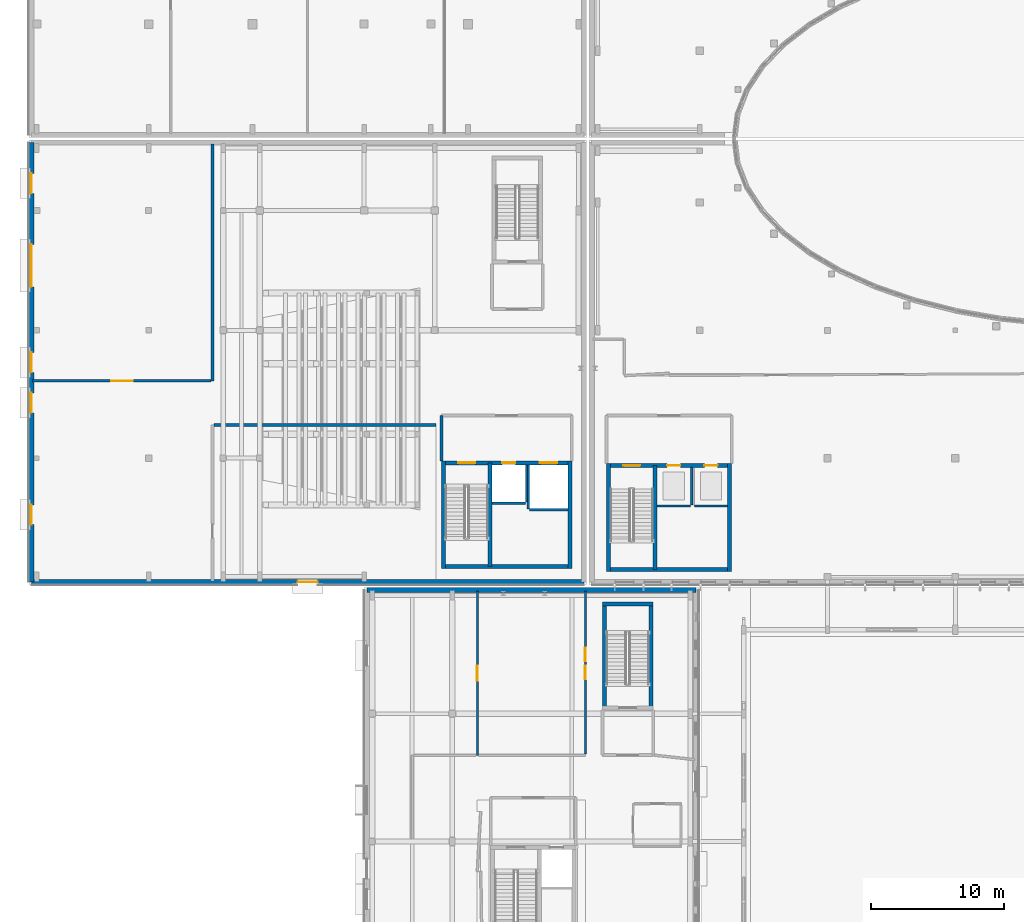
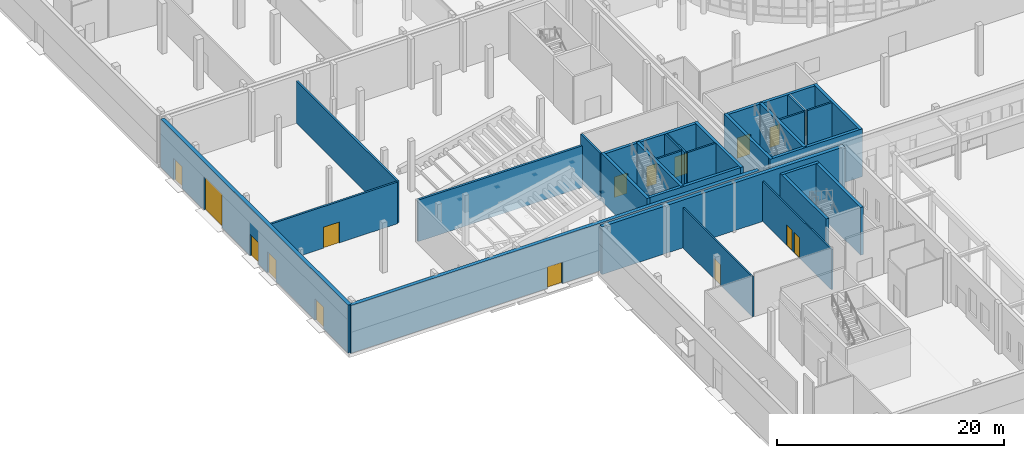
# One storey, part 40 of 84: 29 walls, 16 doors, 16 openings.
"""IFC4 building model written with IfcOpenShell, lengths in metres."""

from ifc_helpers import new_model, si_unit, direction, frame, frame_2d, origin, place, context, subcontext, project, spatial, rectangle, extrude, material, layer, layer_set, type_object, element, fill, save


model = new_model("IFC4")

# Units and contexts
model_context = context("Model", 3, precision=1e-05, world=origin(), true_north=direction((0.0, 1.0)))
body_context = subcontext(model_context, "Body", "Model", "MODEL_VIEW")
ifc_project = project(units=[si_unit("LENGTHUNIT", "METRE"), si_unit("AREAUNIT", "SQUARE_METRE"), si_unit("VOLUMEUNIT", "CUBIC_METRE"), si_unit("PLANEANGLEUNIT", "RADIAN"), si_unit("MASSUNIT", "GRAM", prefix="KILO")], contexts=[model_context])

# Site, building, storey
site_placement = place(None, origin())
site = spatial("IfcSite", under=ifc_project, at=site_placement, CompositionType="ELEMENT")
building_placement = place(site_placement, origin())
building = spatial("IfcBuilding", under=site, at=building_placement, Name="Mzevani Central Library", CompositionType="ELEMENT")
storey_placement = place(building_placement, origin())
storey = spatial("IfcBuildingStorey", under=building, at=storey_placement, Name="L00", CompositionType="ELEMENT", Elevation=0.0)

# Walls
ifc_material_1 = material(Name="Concrete blockwork masonry", Category="masonry")
ifc_layer_1 = layer(ifc_material_1, 0.219970703125, Name="Acoustic Auditorium Wall 220")
ifc_layer_set_1 = layer_set([ifc_layer_1], Name="Concrete blockwork masonry")
wall_type_1 = type_object("IfcWallType", Name="Acoustic Auditorium Wall 220", PredefinedType="STANDARD", material=ifc_layer_set_1)
wall_1_placement = place(storey_placement, frame((17.89990234375, 54.507080078125, 0.0), z_axis=(0.0, 0.0, 1.0), x_axis=(1.0, 0.0, 0.0)))
element("IfcWall", 1, at=wall_1_placement, inside=storey, type_object=wall_type_1, Name="L00 V5 Partition IW-05 (168)", PredefinedType="STANDARD", context=body_context, shape_type="SweptSolid", body=[
    extrude(rectangle(XDim=16.7001953125, YDim=0.219970703125, at=frame_2d((8.35009765625, 0.0))), origin(), (0.0, 0.0, 1.0), 4.469970703125),
])
ifc_material_2 = material(Name="Concrete C35/45", Category="concrete")
ifc_layer_2 = layer(ifc_material_2, 0.199951171875, Name="Compartment Wall 200")
ifc_layer_set_2 = layer_set([ifc_layer_2], Name="Concrete C35/45")
wall_type_2 = type_object("IfcWallType", Name="Compartment Wall 200", PredefinedType="STANDARD", material=ifc_layer_set_2)
wall_2_placement = place(storey_placement, frame((35.0, 51.800048828125, 0.0), z_axis=(0.0, 0.0, 1.0), x_axis=(0.0, 1.0, 0.0)))
element("IfcWall", 2, at=wall_2_placement, inside=storey, type_object=wall_type_2, Name="L00 Protected Stair Lobby C5A Enclosure Wall 1", PredefinedType="STANDARD", context=body_context, shape_type="SweptSolid", body=[
    extrude(rectangle(XDim=3.39990234375, YDim=0.199951171875, at=frame_2d((1.699951171875, 0.0))), origin(), (0.0, 0.0, 1.0), 5.139892578125),
])
wall_3_placement = place(storey_placement, frame((17.800048828125, 75.610107421875, 0.0), z_axis=(0.0, 0.0, 1.0), x_axis=(0.0, -1.0, 0.0)))
element("IfcWall", 3, at=wall_3_placement, inside=storey, type_object=wall_type_2, Name="L00 V5 Partition IW-COMP (165)", PredefinedType="STANDARD", context=body_context, shape_type="SweptSolid", body=[
    extrude(rectangle(XDim=17.802978515625, YDim=0.199951171875, at=frame_2d((8.9013671875, 0.0))), origin(), (0.0, 0.0, 1.0), 4.52001953125),
])

# Wall, opening, door
wall_4_placement = place(storey_placement, frame((17.699951171875, 57.80712890625, 0.0), z_axis=(0.0, 0.0, 1.0), x_axis=(-1.0, 0.0, 0.0)))
wall_4 = element("IfcWall", 4, at=wall_4_placement, inside=storey, type_object=wall_type_2, Name="L00 V5 Partition IW-COMP (166)", PredefinedType="STANDARD", context=body_context, shape_type="SweptSolid", body=[
    extrude(rectangle(XDim=13.409912109375, YDim=0.199951171875, at=frame_2d((6.705078125, 0.0))), origin(), (0.0, 0.0, 1.0), 4.469970703125),
])
opening_1_placement = place(wall_4_placement, frame((5.905029296875, 0.0, 0.0)))
opening_1 = element("IfcOpeningElement", 5, at=opening_1_placement, cuts=wall_4, Name="Opening ID-11", PredefinedType="OPENING", context=body_context, shape_type="SweptSolid", body=[
    extrude(rectangle(XDim=1.60009765625, YDim=2.25, at=frame_2d((0.800048828125, 1.125))), frame((0.0, 0.10986328125, 0.0), z_axis=(0.0, -1.0, 0.0), x_axis=(1.0, 0.0, 0.0)), (0.0, 0.0, 1.0), 0.219970703125),
])
ifc_material_3 = material(Name="Fire-rated steel door assembly", Category="steel")
door_type_1 = type_object("IfcDoorType", Name="Sorting Hall Double Door 1600x2250", OperationType="NOTDEFINED", PredefinedType="DOOR", material=ifc_material_3)
door_1_placement = place(opening_1_placement, origin())
door_1 = element("IfcDoor", 6, at=door_1_placement, inside=storey, type_object=door_type_1, Name="L00 Book Delivery Loading Bay and Sorting Hall Door", OperationType="DOUBLE_DOOR_SINGLE_SWING", OverallHeight=2.25, OverallWidth=1.60009765625, PredefinedType="DOOR", context=body_context, shape_type="SweptSolid", body=[
    extrude(rectangle(XDim=1.60009765625, YDim=2.25, at=frame_2d((0.800048828125, 1.125))), frame((0.0, 0.02490234375, 0.0), z_axis=(0.0, -1.0, 0.0), x_axis=(1.0, 0.0, 0.0)), (0.0, 0.0, 1.0), 0.050048828125),
])
fill(opening_1, door_1)

# Walls
ifc_material_4 = material(Name="Concrete C40/50", Category="concrete")
ifc_layer_3 = layer(ifc_material_4, 0.300048828125, Name="Core Shear Wall 300")
ifc_layer_set_3 = layer_set([ifc_layer_3], Name="Concrete C40/50")
wall_type_3 = type_object("IfcWallType", Name="Core Shear Wall 300", PredefinedType="SHEAR", material=ifc_layer_set_3)
wall_5_placement = place(storey_placement, frame((56.800048828125, 43.64990234375, 0.0), z_axis=(0.0, 0.0, 1.0), x_axis=(-1.0, 0.0, 0.0)))
element("IfcWall", 7, at=wall_5_placement, inside=storey, type_object=wall_type_3, Name="L00 Core C1A Reading Hall West Shear Wall (-y)", PredefinedType="SHEAR", context=body_context, shape_type="SweptSolid", body=[
    extrude(rectangle(XDim=9.400146484375, YDim=0.300048828125, at=frame_2d((4.7001953125, 0.0))), origin(), (0.0, 0.0, 1.0), 5.139892578125),
])
wall_6_placement = place(storey_placement, frame((47.550048828125, 43.5, 0.0), z_axis=(0.0, 0.0, 1.0), x_axis=(0.0, 1.0, 0.0)))
element("IfcWall", 8, at=wall_6_placement, inside=storey, type_object=wall_type_3, Name="L00 Core C1A Reading Hall West Shear Wall (-x)", PredefinedType="SHEAR", context=body_context, shape_type="SweptSolid", body=[
    extrude(rectangle(XDim=8.10009765625, YDim=0.300048828125, at=frame_2d((4.050048828125, 0.0))), origin(), (0.0, 0.0, 1.0), 5.139892578125),
])

# Wall, openings, doors
wall_7_placement = place(storey_placement, frame((47.39990234375, 51.449951171875, 0.0), z_axis=(0.0, 0.0, 1.0), x_axis=(1.0, 0.0, 0.0)))
wall_7 = element("IfcWall", 9, at=wall_7_placement, inside=storey, type_object=wall_type_3, Name="L00 Core C1A Reading Hall West Shear Wall (+y)", PredefinedType="SHEAR", context=body_context, shape_type="SweptSolid", body=[
    extrude(rectangle(XDim=9.400146484375, YDim=0.300048828125, at=frame_2d((4.7001953125, 0.0))), origin(), (0.0, 0.0, 1.0), 5.139892578125),
])
opening_2_placement = place(wall_7_placement, frame((1.25, 0.0, 0.0)))
opening_2 = element("IfcOpeningElement", 10, at=opening_2_placement, cuts=wall_7, Name="Opening FD-01", PredefinedType="OPENING", context=body_context, shape_type="SweptSolid", body=[
    extrude(rectangle(XDim=1.300048828125, YDim=2.199951171875, at=frame_2d((0.64990234375, 1.10009765625))), frame((0.0, 0.16015625, 0.0), z_axis=(0.0, -1.0, 0.0), x_axis=(1.0, 0.0, 0.0)), (0.0, 0.0, 1.0), 0.320068359375),
])
opening_3_placement = place(wall_7_placement, frame((4.550048828125, 0.0, 0.0)))
opening_3 = element("IfcOpeningElement", 11, at=opening_3_placement, cuts=wall_7, Name="Opening LD-01", PredefinedType="OPENING", context=body_context, shape_type="SweptSolid", body=[
    extrude(rectangle(XDim=1.0, YDim=2.14990234375, at=frame_2d((0.5, 1.074951171875))), frame((0.0, 0.16015625, 0.0), z_axis=(0.0, -1.0, 0.0), x_axis=(1.0, 0.0, 0.0)), (0.0, 0.0, 1.0), 0.320068359375),
])
opening_4_placement = place(wall_7_placement, frame((7.35009765625, 0.0, 0.0)))
opening_4 = element("IfcOpeningElement", 12, at=opening_4_placement, cuts=wall_7, Name="Opening LD-01", PredefinedType="OPENING", context=body_context, shape_type="SweptSolid", body=[
    extrude(rectangle(XDim=1.0, YDim=2.14990234375, at=frame_2d((0.5, 1.074951171875))), frame((0.0, 0.16015625, 0.0), z_axis=(0.0, -1.0, 0.0), x_axis=(1.0, 0.0, 0.0)), (0.0, 0.0, 1.0), 0.320068359375),
])
door_type_2 = type_object("IfcDoorType", Name="Fire Stair Door 1300x2200", OperationType="NOTDEFINED", PredefinedType="DOOR", material=ifc_material_3)
door_2_placement = place(opening_2_placement, origin())
door_2 = element("IfcDoor", 13, at=door_2_placement, inside=storey, type_object=door_type_2, Name="L00 ST-01 Protected Exit Stair Door", OperationType="SINGLE_SWING_RIGHT", OverallHeight=2.199951171875, OverallWidth=1.300048828125, PredefinedType="DOOR", context=body_context, shape_type="SweptSolid", body=[
    extrude(rectangle(XDim=1.300048828125, YDim=2.199951171875, at=frame_2d((0.64990234375, 1.10009765625))), frame((0.0, 0.02490234375, 0.0), z_axis=(0.0, -1.0, 0.0), x_axis=(1.0, 0.0, 0.0)), (0.0, 0.0, 1.0), 0.050048828125),
])
fill(opening_2, door_2)
ifc_material_5 = material(Name="Brushed stainless steel door", Category="steel")
door_type_3 = type_object("IfcDoorType", Name="Passenger Lift Landing Door 1000x2150", OperationType="NOTDEFINED", PredefinedType="DOOR", material=ifc_material_5)
door_3_placement = place(opening_3_placement, origin())
door_3 = element("IfcDoor", 14, at=door_3_placement, inside=storey, type_object=door_type_3, Name="L00 Lift LF-P1 Sliding Landing Door", OperationType="SLIDING_TO_LEFT", OverallHeight=2.14990234375, OverallWidth=1.0, PredefinedType="DOOR", context=body_context, shape_type="SweptSolid", body=[
    extrude(rectangle(XDim=1.0, YDim=2.14990234375, at=frame_2d((0.5, 1.074951171875))), frame((0.0, 0.02490234375, 0.0), z_axis=(0.0, -1.0, 0.0), x_axis=(1.0, 0.0, 0.0)), (0.0, 0.0, 1.0), 0.050048828125),
])
fill(opening_3, door_3)
door_4_placement = place(opening_4_placement, origin())
door_4 = element("IfcDoor", 15, at=door_4_placement, inside=storey, type_object=door_type_3, Name="L00 Lift LF-P2 Sliding Landing Door", OperationType="SLIDING_TO_LEFT", OverallHeight=2.14990234375, OverallWidth=1.0, PredefinedType="DOOR", context=body_context, shape_type="SweptSolid", body=[
    extrude(rectangle(XDim=1.0, YDim=2.14990234375, at=frame_2d((0.5, 1.074951171875))), frame((0.0, 0.02490234375, 0.0), z_axis=(0.0, -1.0, 0.0), x_axis=(1.0, 0.0, 0.0)), (0.0, 0.0, 1.0), 0.050048828125),
])
fill(opening_4, door_4)

# Walls
wall_8_placement = place(storey_placement, frame((56.64990234375, 51.60009765625, 0.0), z_axis=(0.0, 0.0, 1.0), x_axis=(0.0, -1.0, 0.0)))
element("IfcWall", 16, at=wall_8_placement, inside=storey, type_object=wall_type_3, Name="L00 Core C1A Reading Hall West Shear Wall (+x)", PredefinedType="SHEAR", context=body_context, shape_type="SweptSolid", body=[
    extrude(rectangle(XDim=8.10009765625, YDim=0.300048828125, at=frame_2d((4.050048828125, 0.0))), origin(), (0.0, 0.0, 1.0), 5.139892578125),
])
wall_9_placement = place(storey_placement, frame((51.050048828125, 43.64990234375, 0.0), z_axis=(0.0, 0.0, 1.0), x_axis=(0.0, 1.0, 0.0)))
element("IfcWall", 17, at=wall_9_placement, inside=storey, type_object=wall_type_3, Name="L00 Core C1A Reading Hall West Hoistway Shear Wall", PredefinedType="SHEAR", context=body_context, shape_type="SweptSolid", body=[
    extrude(rectangle(XDim=7.800048828125, YDim=0.300048828125, at=frame_2d((3.89990234375, 0.0))), origin(), (0.0, 0.0, 1.0), 5.139892578125),
])
wall_10_placement = place(storey_placement, frame((47.25, 33.10009765625, 0.0), z_axis=(0.0, 0.0, 1.0), x_axis=(0.0, 1.0, 0.0)))
element("IfcWall", 18, at=wall_10_placement, inside=storey, type_object=wall_type_3, Name="L00 Core C4B Square South Escape Stair Shear Wall (-x)", PredefinedType="SHEAR", context=body_context, shape_type="SweptSolid", body=[
    extrude(rectangle(XDim=8.099853515625, YDim=0.300048828125, at=frame_2d((4.0498046875, 0.0))), origin(), (0.0, 0.0, 1.0), 5.139892578125),
])
wall_11_placement = place(storey_placement, frame((47.10009765625, 41.050048828125, 0.0), z_axis=(0.0, 0.0, 1.0), x_axis=(1.0, 0.0, 0.0)))
element("IfcWall", 19, at=wall_11_placement, inside=storey, type_object=wall_type_3, Name="L00 Core C4B Square South Escape Stair Shear Wall (+y)", PredefinedType="SHEAR", context=body_context, shape_type="SweptSolid", body=[
    extrude(rectangle(XDim=3.7998046875, YDim=0.300048828125, at=frame_2d((1.89990234375, 0.0))), origin(), (0.0, 0.0, 1.0), 5.139892578125),
])
wall_12_placement = place(storey_placement, frame((50.75, 41.199951171875, 0.0), z_axis=(0.0, 0.0, 1.0), x_axis=(0.0, -1.0, 0.0)))
element("IfcWall", 20, at=wall_12_placement, inside=storey, type_object=wall_type_3, Name="L00 Core C4B Square South Escape Stair Shear Wall (+x)", PredefinedType="SHEAR", context=body_context, shape_type="SweptSolid", body=[
    extrude(rectangle(XDim=8.099853515625, YDim=0.300048828125, at=frame_2d((4.0498046875, 0.0))), origin(), (0.0, 0.0, 1.0), 5.139892578125),
])
wall_13_placement = place(storey_placement, frame((44.800048828125, 43.85009765625, 0.0), z_axis=(0.0, 0.0, 1.0), x_axis=(-1.0, 0.0, 0.0)))
element("IfcWall", 21, at=wall_13_placement, inside=storey, type_object=wall_type_3, Name="L00 Core C5A Auditorium & Goods Core Shear Wall (-y)", PredefinedType="SHEAR", context=body_context, shape_type="SweptSolid", body=[
    extrude(rectangle(XDim=9.800048828125, YDim=0.300048828125, at=frame_2d((4.89990234375, 0.0))), origin(), (0.0, 0.0, 1.0), 5.139892578125),
])
wall_14_placement = place(storey_placement, frame((35.14990234375, 43.699951171875, 0.0), z_axis=(0.0, 0.0, 1.0), x_axis=(0.0, 1.0, 0.0)))
element("IfcWall", 22, at=wall_14_placement, inside=storey, type_object=wall_type_3, Name="L00 Core C5A Auditorium & Goods Core Shear Wall (-x)", PredefinedType="SHEAR", context=body_context, shape_type="SweptSolid", body=[
    extrude(rectangle(XDim=8.10009765625, YDim=0.300048828125, at=frame_2d((4.050048828125, 0.0))), origin(), (0.0, 0.0, 1.0), 5.139892578125),
])

# Wall, openings, doors
wall_15_placement = place(storey_placement, frame((35.0, 51.64990234375, 0.0), z_axis=(0.0, 0.0, 1.0), x_axis=(1.0, 0.0, 0.0)))
wall_15 = element("IfcWall", 23, at=wall_15_placement, inside=storey, type_object=wall_type_3, Name="L00 Core C5A Auditorium & Goods Core Shear Wall (+y)", PredefinedType="SHEAR", context=body_context, shape_type="SweptSolid", body=[
    extrude(rectangle(XDim=9.800048828125, YDim=0.300048828125, at=frame_2d((4.89990234375, 0.0))), origin(), (0.0, 0.0, 1.0), 5.139892578125),
])
opening_5_placement = place(wall_15_placement, frame((1.25, 0.0, 0.0)))
opening_5 = element("IfcOpeningElement", 24, at=opening_5_placement, cuts=wall_15, Name="Opening FD-01", PredefinedType="OPENING", context=body_context, shape_type="SweptSolid", body=[
    extrude(rectangle(XDim=1.300048828125, YDim=2.199951171875, at=frame_2d((0.64990234375, 1.10009765625))), frame((0.0, 0.16015625, 0.0), z_axis=(0.0, -1.0, 0.0), x_axis=(1.0, 0.0, 0.0)), (0.0, 0.0, 1.0), 0.320068359375),
])
opening_6_placement = place(wall_15_placement, frame((4.550048828125, 0.0, 0.0)))
opening_6 = element("IfcOpeningElement", 25, at=opening_6_placement, cuts=wall_15, Name="Opening LD-01", PredefinedType="OPENING", context=body_context, shape_type="SweptSolid", body=[
    extrude(rectangle(XDim=1.0, YDim=2.14990234375, at=frame_2d((0.5, 1.074951171875))), frame((0.0, 0.16015625, 0.0), z_axis=(0.0, -1.0, 0.0), x_axis=(1.0, 0.0, 0.0)), (0.0, 0.0, 1.0), 0.320068359375),
])
opening_7_placement = place(wall_15_placement, frame((7.39990234375, 0.0, 0.0)))
opening_7 = element("IfcOpeningElement", 26, at=opening_7_placement, cuts=wall_15, Name="Opening LD-03", PredefinedType="OPENING", context=body_context, shape_type="SweptSolid", body=[
    extrude(rectangle(XDim=1.300048828125, YDim=2.199951171875, at=frame_2d((0.64990234375, 1.10009765625))), frame((0.0, 0.16015625, 0.0), z_axis=(0.0, -1.0, 0.0), x_axis=(1.0, 0.0, 0.0)), (0.0, 0.0, 1.0), 0.320068359375),
])
door_5_placement = place(opening_5_placement, origin())
door_5 = element("IfcDoor", 27, at=door_5_placement, inside=storey, type_object=door_type_2, Name="L00 ST-09 Protected Exit Stair Door", OperationType="SINGLE_SWING_LEFT", OverallHeight=2.199951171875, OverallWidth=1.300048828125, PredefinedType="DOOR", context=body_context, shape_type="SweptSolid", body=[
    extrude(rectangle(XDim=1.300048828125, YDim=2.199951171875, at=frame_2d((0.64990234375, 1.10009765625))), frame((0.0, 0.02490234375, 0.0), z_axis=(0.0, -1.0, 0.0), x_axis=(1.0, 0.0, 0.0)), (0.0, 0.0, 1.0), 0.050048828125),
])
fill(opening_5, door_5)
door_type_4 = type_object("IfcDoorType", Name="Goods Lift Landing Door 1300x2200", OperationType="NOTDEFINED", PredefinedType="DOOR", material=ifc_material_5)
door_6_placement = place(opening_7_placement, origin())
door_6 = element("IfcDoor", 28, at=door_6_placement, inside=storey, type_object=door_type_4, Name="L00 Lift LF-G1 Sliding Landing Door", OperationType="SLIDING_TO_LEFT", OverallHeight=2.199951171875, OverallWidth=1.300048828125, PredefinedType="DOOR", context=body_context, shape_type="SweptSolid", body=[
    extrude(rectangle(XDim=1.300048828125, YDim=2.199951171875, at=frame_2d((0.64990234375, 1.10009765625))), frame((0.0, 0.02490234375, 0.0), z_axis=(0.0, -1.0, 0.0), x_axis=(1.0, 0.0, 0.0)), (0.0, 0.0, 1.0), 0.050048828125),
])
fill(opening_7, door_6)
door_7_placement = place(opening_6_placement, origin())
door_7 = element("IfcDoor", 29, at=door_7_placement, inside=storey, type_object=door_type_3, Name="L00 Lift LF-P4 Sliding Landing Door", OperationType="SLIDING_TO_LEFT", OverallHeight=2.14990234375, OverallWidth=1.0, PredefinedType="DOOR", context=body_context, shape_type="SweptSolid", body=[
    extrude(rectangle(XDim=1.0, YDim=2.14990234375, at=frame_2d((0.5, 1.074951171875))), frame((0.0, 0.02490234375, 0.0), z_axis=(0.0, -1.0, 0.0), x_axis=(1.0, 0.0, 0.0)), (0.0, 0.0, 1.0), 0.050048828125),
])
fill(opening_6, door_7)

# Walls
wall_16_placement = place(storey_placement, frame((44.64990234375, 51.800048828125, 0.0), z_axis=(0.0, 0.0, 1.0), x_axis=(0.0, -1.0, 0.0)))
element("IfcWall", 30, at=wall_16_placement, inside=storey, type_object=wall_type_3, Name="L00 Core C5A Auditorium & Goods Core Shear Wall (+x)", PredefinedType="SHEAR", context=body_context, shape_type="SweptSolid", body=[
    extrude(rectangle(XDim=8.10009765625, YDim=0.300048828125, at=frame_2d((4.050048828125, 0.0))), origin(), (0.0, 0.0, 1.0), 5.139892578125),
])
wall_17_placement = place(storey_placement, frame((38.64990234375, 43.85009765625, 0.0), z_axis=(0.0, 0.0, 1.0), x_axis=(0.0, 1.0, 0.0)))
element("IfcWall", 31, at=wall_17_placement, inside=storey, type_object=wall_type_3, Name="L00 Core C5A Auditorium & Goods Core Hoistway Shear Wall", PredefinedType="SHEAR", context=body_context, shape_type="SweptSolid", body=[
    extrude(rectangle(XDim=7.7998046875, YDim=0.300048828125, at=frame_2d((3.89990234375, 0.0))), origin(), (0.0, 0.0, 1.0), 5.139892578125),
])
ifc_material_6 = material(Name="Precast concrete C40/50", Category="concrete")
ifc_layer_4 = layer(ifc_material_6, 0.3798828125, Name="Exterior Thermal Concrete Wall 380")
ifc_layer_set_4 = layer_set([ifc_layer_4], Name="Precast concrete C40/50")
wall_type_4 = type_object("IfcWallType", Name="Exterior Thermal Concrete Wall 380", PredefinedType="STANDARD", material=ifc_layer_set_4)
wall_18_placement = place(storey_placement, frame((29.389892578125, 42.110107421875, 0.0), z_axis=(0.0, 0.0, 1.0), x_axis=(1.0, 0.0, 0.0)))
element("IfcWall", 32, at=wall_18_placement, inside=storey, type_object=wall_type_4, Name="L00 V4 Exterior Thermal Wall (74)", PredefinedType="STANDARD", context=body_context, shape_type="SweptSolid", body=[
    extrude(rectangle(XDim=24.72021484375, YDim=0.3798828125, at=frame_2d((12.360107421875, 0.0))), origin(), (0.0, 0.0, 1.0), 5.139892578125),
])

# Wall, opening, door
wall_19_placement = place(storey_placement, frame((45.7099609375, 42.68994140625, 0.0), z_axis=(0.0, 0.0, 1.0), x_axis=(-1.0, 0.0, 0.0)))
wall_19 = element("IfcWall", 33, at=wall_19_placement, inside=storey, type_object=wall_type_4, Name="L00 V5 Exterior Thermal Wall (88)", PredefinedType="STANDARD", context=body_context, shape_type="SweptSolid", body=[
    extrude(rectangle(XDim=41.52001953125, YDim=0.3798828125, at=frame_2d((20.760009765625, 0.0))), origin(), (0.0, 0.0, 1.0), 5.139892578125),
])
opening_8_placement = place(wall_19_placement, frame((20.010009765625, 0.0, 0.0)))
opening_8 = element("IfcOpeningElement", 34, at=opening_8_placement, cuts=wall_19, Name="Opening ED-01", PredefinedType="OPENING", context=body_context, shape_type="SweptSolid", body=[
    extrude(rectangle(XDim=1.5, YDim=2.300048828125, at=frame_2d((0.75, 1.14990234375))), frame((0.0, 0.199951171875, 0.0), z_axis=(0.0, -1.0, 0.0), x_axis=(1.0, 0.0, 0.0)), (0.0, 0.0, 1.0), 0.39990234375),
])
ifc_material_7 = material(Name="Anodized architectural bronze")
door_type_5 = type_object("IfcDoorType", Name="Exterior Final Exit Door 1500x2300", OperationType="NOTDEFINED", PredefinedType="DOOR", material=ifc_material_7)
door_8_placement = place(opening_8_placement, origin())
door_8 = element("IfcDoor", 35, at=door_8_placement, inside=storey, type_object=door_type_5, Name="L00 V5 Exterior Entrance / Exit Door (31)", OperationType="SINGLE_SWING_RIGHT", OverallHeight=2.300048828125, OverallWidth=1.5, PredefinedType="DOOR", context=body_context, shape_type="SweptSolid", body=[
    extrude(rectangle(XDim=1.5, YDim=2.300048828125, at=frame_2d((0.75, 1.14990234375))), frame((0.0, 0.02490234375, 0.0), z_axis=(0.0, -1.0, 0.0), x_axis=(1.0, 0.0, 0.0)), (0.0, 0.0, 1.0), 0.050048828125),
])
fill(opening_8, door_8)

# Wall, openings, doors
wall_20_placement = place(storey_placement, frame((4.18994140625, 42.68994140625, 0.0), z_axis=(0.0, 0.0, 1.0), x_axis=(0.0, 1.0, 0.0)))
wall_20 = element("IfcWall", 36, at=wall_20_placement, inside=storey, type_object=wall_type_4, Name="L00 V5 Exterior Thermal Wall (89)", PredefinedType="STANDARD", context=body_context, shape_type="SweptSolid", body=[
    extrude(rectangle(XDim=33.02001953125, YDim=0.3798828125, at=frame_2d((16.510009765625, 0.0))), origin(), (0.0, 0.0, 1.0), 5.139892578125),
])
opening_9_placement = place(wall_20_placement, frame((12.717041015625, 0.0, 0.0)))
opening_9 = element("IfcOpeningElement", 37, at=opening_9_placement, cuts=wall_20, Name="Opening ED-01", PredefinedType="OPENING", context=body_context, shape_type="SweptSolid", body=[
    extrude(rectangle(XDim=1.5, YDim=2.300048828125, at=frame_2d((0.75, 1.14990234375))), frame((0.0, 0.199951171875, 0.0), z_axis=(0.0, -1.0, 0.0), x_axis=(1.0, 0.0, 0.0)), (0.0, 0.0, 1.0), 0.39990234375),
])
opening_10_placement = place(wall_20_placement, frame((22.17431640625, 0.0, 0.0)))
opening_10 = element("IfcOpeningElement", 38, at=opening_10_placement, cuts=wall_20, Name="Opening ED-07", PredefinedType="OPENING", context=body_context, shape_type="SweptSolid", body=[
    extrude(rectangle(XDim=3.199951171875, YDim=3.60009765625, at=frame_2d((1.60009765625, 1.800048828125))), frame((0.0, 0.199951171875, 0.0), z_axis=(0.0, -1.0, 0.0), x_axis=(1.0, 0.0, 0.0)), (0.0, 0.0, 1.0), 0.39990234375),
])
opening_11_placement = place(wall_20_placement, frame((15.760009765625, 0.0, 0.0)))
opening_11 = element("IfcOpeningElement", 39, at=opening_11_placement, cuts=wall_20, Name="Opening ED-01", PredefinedType="OPENING", context=body_context, shape_type="SweptSolid", body=[
    extrude(rectangle(XDim=1.5, YDim=2.300048828125, at=frame_2d((0.75, 1.14990234375))), frame((0.0, 0.199951171875, 0.0), z_axis=(0.0, -1.0, 0.0), x_axis=(1.0, 0.0, 0.0)), (0.0, 0.0, 1.0), 0.39990234375),
])
opening_12_placement = place(wall_20_placement, frame((4.31005859375, 0.0, 0.0)))
opening_12 = element("IfcOpeningElement", 40, at=opening_12_placement, cuts=wall_20, Name="Opening ED-01", PredefinedType="OPENING", context=body_context, shape_type="SweptSolid", body=[
    extrude(rectangle(XDim=1.5, YDim=2.300048828125, at=frame_2d((0.75, 1.14990234375))), frame((0.0, 0.199951171875, 0.0), z_axis=(0.0, -1.0, 0.0), x_axis=(1.0, 0.0, 0.0)), (0.0, 0.0, 1.0), 0.39990234375),
])
opening_13_placement = place(wall_20_placement, frame((29.2099609375, 0.0, 0.0)))
opening_13 = element("IfcOpeningElement", 41, at=opening_13_placement, cuts=wall_20, Name="Opening ED-01", PredefinedType="OPENING", context=body_context, shape_type="SweptSolid", body=[
    extrude(rectangle(XDim=1.5, YDim=2.300048828125, at=frame_2d((0.75, 1.14990234375))), frame((0.0, 0.199951171875, 0.0), z_axis=(0.0, -1.0, 0.0), x_axis=(1.0, 0.0, 0.0)), (0.0, 0.0, 1.0), 0.39990234375),
])
ifc_material_8 = material(Name="Insulated sectional steel door", Category="steel")
door_type_6 = type_object("IfcDoorType", Name="Book Delivery Loading Shutter 3200x3600", OperationType="NOTDEFINED", PredefinedType="DOOR", material=ifc_material_8)
door_9_placement = place(opening_10_placement, origin())
door_9 = element("IfcDoor", 42, at=door_9_placement, inside=storey, type_object=door_type_6, Name="L00 Book Delivery Loading Bay Roller Shutter", OperationType="ROLLINGUP", OverallHeight=3.60009765625, OverallWidth=3.199951171875, PredefinedType="DOOR", context=body_context, shape_type="SweptSolid", body=[
    extrude(rectangle(XDim=3.199951171875, YDim=3.60009765625, at=frame_2d((1.60009765625, 1.800048828125))), frame((0.0, 0.02490234375, 0.0), z_axis=(0.0, -1.0, 0.0), x_axis=(1.0, 0.0, 0.0)), (0.0, 0.0, 1.0), 0.050048828125),
])
fill(opening_10, door_9)
door_10_placement = place(opening_9_placement, origin())
door_10 = element("IfcDoor", 43, at=door_10_placement, inside=storey, type_object=door_type_5, Name="L00 V5 Protected Exit Corridor Final Discharge Door", OperationType="SINGLE_SWING_LEFT", OverallHeight=2.300048828125, OverallWidth=1.5, PredefinedType="DOOR", context=body_context, shape_type="SweptSolid", body=[
    extrude(rectangle(XDim=1.5, YDim=2.300048828125, at=frame_2d((0.75, 1.14990234375))), frame((0.0, 0.02490234375, 0.0), z_axis=(0.0, -1.0, 0.0), x_axis=(1.0, 0.0, 0.0)), (0.0, 0.0, 1.0), 0.050048828125),
])
fill(opening_9, door_10)
door_11_placement = place(opening_11_placement, origin())
door_11 = element("IfcDoor", 44, at=door_11_placement, inside=storey, type_object=door_type_5, Name="L00 V5 Exterior Entrance / Exit Door (34)", OperationType="SINGLE_SWING_LEFT", OverallHeight=2.300048828125, OverallWidth=1.5, PredefinedType="DOOR", context=body_context, shape_type="SweptSolid", body=[
    extrude(rectangle(XDim=1.5, YDim=2.300048828125, at=frame_2d((0.75, 1.14990234375))), frame((0.0, 0.02490234375, 0.0), z_axis=(0.0, -1.0, 0.0), x_axis=(1.0, 0.0, 0.0)), (0.0, 0.0, 1.0), 0.050048828125),
])
fill(opening_11, door_11)
door_12_placement = place(opening_12_placement, origin())
door_12 = element("IfcDoor", 45, at=door_12_placement, inside=storey, type_object=door_type_5, Name="L00 ST-09 Final Grade Exit Discharge Door", OperationType="SINGLE_SWING_RIGHT", OverallHeight=2.300048828125, OverallWidth=1.5, PredefinedType="DOOR", context=body_context, shape_type="SweptSolid", body=[
    extrude(rectangle(XDim=1.5, YDim=2.300048828125, at=frame_2d((0.75, 1.14990234375))), frame((0.0, 0.02490234375, 0.0), z_axis=(0.0, -1.0, 0.0), x_axis=(1.0, 0.0, 0.0)), (0.0, 0.0, 1.0), 0.050048828125),
])
fill(opening_12, door_12)
door_13_placement = place(opening_13_placement, origin())
door_13 = element("IfcDoor", 46, at=door_13_placement, inside=storey, type_object=door_type_5, Name="L00 ST-10 Final Grade Exit Discharge Door", OperationType="SINGLE_SWING_RIGHT", OverallHeight=2.300048828125, OverallWidth=1.5, PredefinedType="DOOR", context=body_context, shape_type="SweptSolid", body=[
    extrude(rectangle(XDim=1.5, YDim=2.300048828125, at=frame_2d((0.75, 1.14990234375))), frame((0.0, 0.02490234375, 0.0), z_axis=(0.0, -1.0, 0.0), x_axis=(1.0, 0.0, 0.0)), (0.0, 0.0, 1.0), 0.050048828125),
])
fill(opening_13, door_13)

# Wall, opening, door
ifc_material_9 = material(Name="Fire-rated gypsum board", Category="gypsum")
ifc_layer_5 = layer(ifc_material_9, 0.14990234375, Name="Partition Study 150")
ifc_layer_set_5 = layer_set([ifc_layer_5], Name="Fire-rated gypsum board")
wall_type_5 = type_object("IfcWallType", Name="Partition Study 150", PredefinedType="PARTITIONING", material=ifc_layer_set_5)
wall_21_placement = place(storey_placement, frame((37.693359375, 42.010009765625, 0.0), z_axis=(0.0, 0.0, 1.0), x_axis=(0.0, -1.0, 0.0)))
wall_21 = element("IfcWall", 47, at=wall_21_placement, inside=storey, type_object=wall_type_5, Name="L00 V4 Partition IW-03 (157)", PredefinedType="PARTITIONING", context=body_context, shape_type="SweptSolid", body=[
    extrude(rectangle(XDim=12.330078125, YDim=0.14990234375, at=frame_2d((6.1650390625, 0.0))), origin(), (0.0, 0.0, 1.0), 4.320068359375),
])
opening_14_placement = place(wall_21_placement, frame((5.590087890625, 0.0, 0.0)))
opening_14 = element("IfcOpeningElement", 48, at=opening_14_placement, cuts=wall_21, Name="Opening ID-09", PredefinedType="OPENING", context=body_context, shape_type="SweptSolid", body=[
    extrude(rectangle(XDim=1.14990234375, YDim=2.199951171875, at=frame_2d((0.574951171875, 1.10009765625))), frame((0.0, 0.0849609375, 0.0), z_axis=(0.0, -1.0, 0.0), x_axis=(1.0, 0.0, 0.0)), (0.0, 0.0, 1.0), 0.169921875),
])
ifc_material_10 = material(Name="Fire-rated solid oak leaf")
door_type_7 = type_object("IfcDoorType", Name="Community Room Door 1150x2200", OperationType="NOTDEFINED", PredefinedType="DOOR", material=ifc_material_10)
door_14_placement = place(opening_14_placement, origin())
door_14 = element("IfcDoor", 49, at=door_14_placement, inside=storey, type_object=door_type_7, Name="L00 Mzevani Square Street Cafe Door", OperationType="SINGLE_SWING_RIGHT", OverallHeight=2.199951171875, OverallWidth=1.14990234375, PredefinedType="DOOR", context=body_context, shape_type="SweptSolid", body=[
    extrude(rectangle(XDim=1.14990234375, YDim=2.199951171875, at=frame_2d((0.574951171875, 1.10009765625))), frame((0.0, 0.02490234375, 0.0), z_axis=(0.0, -1.0, 0.0), x_axis=(1.0, 0.0, 0.0)), (0.0, 0.0, 1.0), 0.050048828125),
])
fill(opening_14, door_14)

# Wall, openings, doors
wall_22_placement = place(storey_placement, frame((45.806640625, 42.010009765625, 0.0), z_axis=(0.0, 0.0, 1.0), x_axis=(0.0, -1.0, 0.0)))
wall_22 = element("IfcWall", 50, at=wall_22_placement, inside=storey, type_object=wall_type_5, Name="L00 V4 Partition IW-03 (160)", PredefinedType="PARTITIONING", context=body_context, shape_type="SweptSolid", body=[
    extrude(rectangle(XDim=12.22998046875, YDim=0.14990234375, at=frame_2d((6.114990234375, 0.0))), origin(), (0.0, 0.0, 1.0), 4.320068359375),
])
opening_15_placement = place(wall_22_placement, frame((5.614990234375, 0.0, 0.0)))
opening_15 = element("IfcOpeningElement", 51, at=opening_15_placement, cuts=wall_22, Name="Opening ID-06", PredefinedType="OPENING", context=body_context, shape_type="SweptSolid", body=[
    extrude(rectangle(XDim=1.0, YDim=2.199951171875, at=frame_2d((0.5, 1.10009765625))), frame((0.0, 0.0849609375, 0.0), z_axis=(0.0, -1.0, 0.0), x_axis=(1.0, 0.0, 0.0)), (0.0, 0.0, 1.0), 0.169921875),
])
opening_16_placement = place(wall_22_placement, frame((4.264892578125, 0.0, 0.0)))
opening_16 = element("IfcOpeningElement", 52, at=opening_16_placement, cuts=wall_22, Name="Opening ID-06", PredefinedType="OPENING", context=body_context, shape_type="SweptSolid", body=[
    extrude(rectangle(XDim=1.0, YDim=2.199951171875, at=frame_2d((0.5, 1.10009765625))), frame((0.0, 0.0849609375, 0.0), z_axis=(0.0, -1.0, 0.0), x_axis=(1.0, 0.0, 0.0)), (0.0, 0.0, 1.0), 0.169921875),
])
door_type_8 = type_object("IfcDoorType", Name="Cataloguing Room Door 1000x2200", OperationType="NOTDEFINED", PredefinedType="DOOR", material=ifc_material_10)
door_15_placement = place(opening_15_placement, origin())
door_15 = element("IfcDoor", 53, at=door_15_placement, inside=storey, type_object=door_type_8, Name="L00 Civic Bookshop and Publications Salon Door", OperationType="SINGLE_SWING_LEFT", OverallHeight=2.199951171875, OverallWidth=1.0, PredefinedType="DOOR", context=body_context, shape_type="SweptSolid", body=[
    extrude(rectangle(XDim=1.0, YDim=2.199951171875, at=frame_2d((0.5, 1.10009765625))), frame((0.0, 0.02490234375, 0.0), z_axis=(0.0, -1.0, 0.0), x_axis=(1.0, 0.0, 0.0)), (0.0, 0.0, 1.0), 0.050048828125),
])
fill(opening_15, door_15)
door_16_placement = place(opening_16_placement, origin())
door_16 = element("IfcDoor", 54, at=door_16_placement, inside=storey, type_object=door_type_8, Name="L00 Civic Bookshop and Publications Salon 3 Door", OperationType="SINGLE_SWING_RIGHT", OverallHeight=2.199951171875, OverallWidth=1.0, PredefinedType="DOOR", context=body_context, shape_type="SweptSolid", body=[
    extrude(rectangle(XDim=1.0, YDim=2.199951171875, at=frame_2d((0.5, 1.10009765625))), frame((0.0, 0.02490234375, 0.0), z_axis=(0.0, -1.0, 0.0), x_axis=(1.0, 0.0, 0.0)), (0.0, 0.0, 1.0), 0.050048828125),
])
fill(opening_16, door_16)

# Walls
ifc_layer_6 = layer(ifc_material_1, 0.179931640625, Name="Shaft Enclosure Wall 180")
ifc_layer_set_6 = layer_set([ifc_layer_6], Name="Concrete blockwork masonry")
wall_type_6 = type_object("IfcWallType", Name="Shaft Enclosure Wall 180", PredefinedType="PARTITIONING", material=ifc_layer_set_6)
wall_23_placement = place(storey_placement, frame((51.199951171875, 48.409912109375, 0.0), z_axis=(0.0, 0.0, 1.0), x_axis=(1.0, 0.0, 0.0)))
element("IfcWall", 55, at=wall_23_placement, inside=storey, type_object=wall_type_6, Name="L00 Lift LF-P1 Hoistway Enclosure Wall", PredefinedType="PARTITIONING", context=body_context, shape_type="SweptSolid", body=[
    extrude(rectangle(XDim=2.5, YDim=0.179931640625, at=frame_2d((1.25, 0.0))), origin(), (0.0, 0.0, 1.0), 5.139892578125),
])
wall_24_placement = place(storey_placement, frame((53.7900390625, 48.5, 0.0), z_axis=(0.0, 0.0, 1.0), x_axis=(0.0, 1.0, 0.0)))
element("IfcWall", 56, at=wall_24_placement, inside=storey, type_object=wall_type_6, Name="L00 Lift LF-P1 Hoistway Enclosure Wall", PredefinedType="PARTITIONING", context=body_context, shape_type="SweptSolid", body=[
    extrude(rectangle(XDim=2.800048828125, YDim=0.179931640625, at=frame_2d((1.39990234375, 0.0))), origin(), (0.0, 0.0, 1.0), 5.139892578125),
])
for number, where, z_axis, x_axis, name in (
    (57, (54.0, 48.409912109375, 0.0), (0.0, 0.0, 1.0), (1.0, 0.0, 0.0), "L00 Lift LF-P2 Hoistway Enclosure Wall"),
    (58, (38.800048828125, 48.610107421875, 0.0), (0.0, 0.0, 1.0), (1.0, 0.0, 0.0), "L00 Lift LF-P4 Hoistway Enclosure Wall"),
):
    element("IfcWall", number, at=place(storey_placement, frame(where, z_axis=z_axis, x_axis=x_axis)), inside=storey, type_object=wall_type_6, Name=name, PredefinedType="PARTITIONING", context=body_context, shape_type="SweptSolid", body=[
        extrude(rectangle(XDim=2.5, YDim=0.179931640625, at=frame_2d((1.25, 0.0))), origin(), (0.0, 0.0, 1.0), 5.139892578125),
    ])
wall_25_placement = place(storey_placement, frame((41.389892578125, 48.699951171875, 0.0), z_axis=(0.0, 0.0, 1.0), x_axis=(0.0, 1.0, 0.0)))
element("IfcWall", 59, at=wall_25_placement, inside=storey, type_object=wall_type_6, Name="L00 Lift LF-P4 Hoistway Enclosure Wall", PredefinedType="PARTITIONING", context=body_context, shape_type="SweptSolid", body=[
    extrude(rectangle(XDim=2.800048828125, YDim=0.179931640625, at=frame_2d((1.39990234375, 0.0))), origin(), (0.0, 0.0, 1.0), 5.139892578125),
])
wall_26_placement = place(storey_placement, frame((41.60009765625, 48.110107421875, 0.0), z_axis=(0.0, 0.0, 1.0), x_axis=(1.0, 0.0, 0.0)))
element("IfcWall", 60, at=wall_26_placement, inside=storey, type_object=wall_type_6, Name="L00 Lift LF-G1 Hoistway Enclosure Wall", PredefinedType="PARTITIONING", context=body_context, shape_type="SweptSolid", body=[
    extrude(rectangle(XDim=2.89990234375, YDim=0.179931640625, at=frame_2d((1.449951171875, 0.0))), origin(), (0.0, 0.0, 1.0), 5.139892578125),
])
wall_27_placement = place(storey_placement, frame((41.510009765625, 48.199951171875, 0.0), z_axis=(0.0, 0.0, 1.0), x_axis=(0.0, 1.0, 0.0)))
element("IfcWall", 61, at=wall_27_placement, inside=storey, type_object=wall_type_6, Name="L00 Lift LF-G1 Hoistway Enclosure Wall", PredefinedType="PARTITIONING", context=body_context, shape_type="SweptSolid", body=[
    extrude(rectangle(XDim=3.300048828125, YDim=0.179931640625, at=frame_2d((1.64990234375, 0.0))), origin(), (0.0, 0.0, 1.0), 5.139892578125),
])

save(model, "model.ifc")
